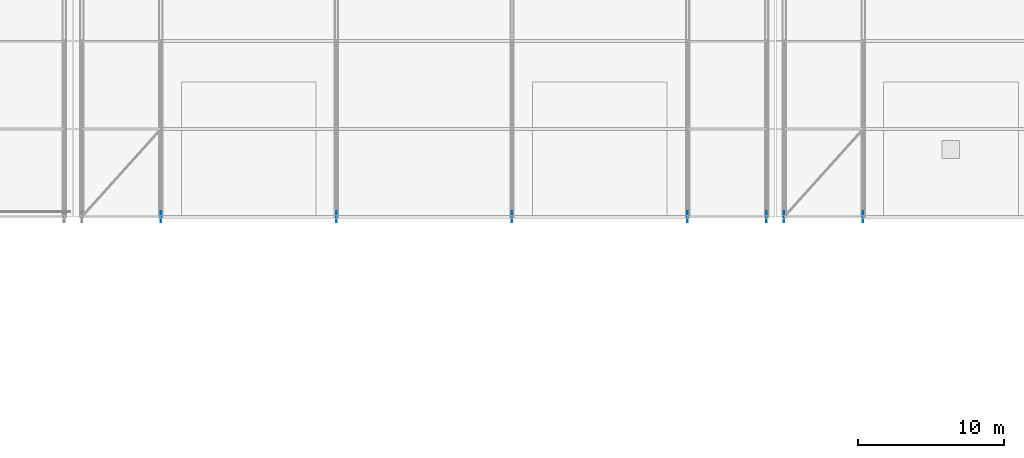
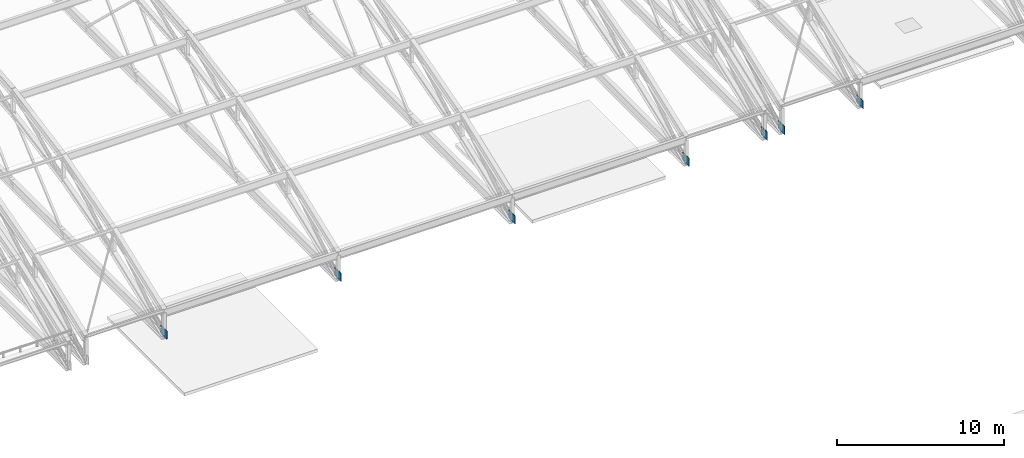
# One storey, part 186 of 204: 7 plates.
"""IFC4 building model written with IfcOpenShell, lengths in metres."""

import ifcopenshell
import ifcopenshell.guid

model = None  # the IFC model being written
_history = None  # IfcOwnerHistory: only IFC2X3 demands one
_inside = {}  # id of a spatial element -> (the spatial element, [elements in it])
_under = {}  # id of a project, library or spatial element -> (it, [spatial elements below it])
_declared = {}  # id of a project -> (the project, [libraries it declares])
_typed = {}  # id of a type object -> (the type object, [elements of that type])
_made_of = {}  # id of a material, layer set ... -> (it, [elements and type objects made of it])


def new_model(schema):
    """Start an empty IFC model of exactly this schema.

    Asked for "IFC4X3", IfcOpenShell would pick the latest addendum, in which some entities
    have other attributes; the version numbers below select the first issue.
    IFC2X3 requires an IfcOwnerHistory on every rooted entity: one is made here for all.
    """
    global model, _history
    if schema == "IFC4X3":
        model = ifcopenshell.file(schema_version=(4, 3, 0, 0))
    else:
        model = ifcopenshell.file(schema=schema)
    _inside.clear()
    _under.clear()
    _declared.clear()
    _typed.clear()
    _made_of.clear()
    _history = None
    if model.schema == "IFC2X3":
        org = make("IfcOrganization", Name="unknown")
        user = make(
            "IfcPersonAndOrganization",
            ThePerson=make("IfcPerson", FamilyName="unknown"),
            TheOrganization=org,
        )
        app = make(
            "IfcApplication",
            ApplicationDeveloper=org,
            Version="unknown",
            ApplicationFullName="unknown",
            ApplicationIdentifier="unknown",
        )
        _history = make(
            "IfcOwnerHistory",
            OwningUser=user,
            OwningApplication=app,
            ChangeAction="ADDED",
            CreationDate=0,
        )
    return model


def make(cls, **values):
    """One entity of the class cls with the attributes given. An attribute that is None is left unset."""
    return model.create_entity(
        cls, **{name: value for name, value in values.items() if value is not None}
    )


def rooted(cls, **values):
    """An entity with a GlobalId (a new one), such as an element, a storey or a relation."""
    return make(cls, GlobalId=ifcopenshell.guid.new(), OwnerHistory=_history, **values)


def si_unit(unit_type, name, prefix=None):
    """IfcSIUnit, for example si_unit("LENGTHUNIT", "METRE", prefix="MILLI")."""
    return make("IfcSIUnit", UnitType=unit_type, Prefix=prefix, Name=name)


def assignment(units):
    """IfcUnitAssignment: the units of a project."""
    return None if units is None else make("IfcUnitAssignment", Units=units)


def point(xyz):
    """IfcCartesianPoint."""
    return None if xyz is None else make("IfcCartesianPoint", Coordinates=xyz)


def direction(xyz):
    """IfcDirection."""
    return None if xyz is None else make("IfcDirection", DirectionRatios=xyz)


def frame(location, z_axis=None, x_axis=None):
    """IfcAxis2Placement3D, a coordinate frame: its origin and axes. An axis left out is left unset."""
    return make(
        "IfcAxis2Placement3D",
        Location=point(location),
        Axis=direction(z_axis),
        RefDirection=direction(x_axis),
    )


def frame_2d(location, x_axis=None):
    """IfcAxis2Placement2D, a coordinate frame in the plane: its origin and x axis."""
    return make(
        "IfcAxis2Placement2D", Location=point(location), RefDirection=direction(x_axis)
    )


def origin():
    """The frame at (0, 0, 0) with its axes left unset."""
    return frame((0.0, 0.0, 0.0))


def origin_2d():
    """The frame at (0, 0) in the plane with its x axis left unset."""
    return frame_2d((0.0, 0.0))


def place(relative_to, where):
    """IfcLocalPlacement: puts the frame where relative to a parent placement (None: the world)."""
    return make(
        "IfcLocalPlacement", PlacementRelTo=relative_to, RelativePlacement=where
    )


def context(
    kind, dimensions, precision=None, world=None, true_north=None, identifier=None
):
    """IfcGeometricRepresentationContext, for example the 3D "Model" context."""
    return make(
        "IfcGeometricRepresentationContext",
        ContextIdentifier=identifier,
        ContextType=kind,
        CoordinateSpaceDimension=dimensions,
        Precision=precision,
        WorldCoordinateSystem=world,
        TrueNorth=true_north,
    )


def subcontext(parent, identifier, kind, view, scale=None):
    """IfcGeometricRepresentationSubContext, for example "Body" below "Model"."""
    return make(
        "IfcGeometricRepresentationSubContext",
        ContextIdentifier=identifier,
        ContextType=kind,
        ParentContext=parent,
        TargetScale=scale,
        TargetView=view,
    )


def project(units=None, contexts=None):
    """IfcProject with its units and contexts."""
    return rooted(
        "IfcProject",
        Name="project",
        RepresentationContexts=contexts,
        UnitsInContext=assignment(units),
    )


def spatial(cls, under=None, at=None, **own):
    """A site, building, storey or space (cls), placed at a placement, below another one or the project."""
    s = rooted(cls, ObjectPlacement=at, **own)
    if under is not None:
        _under.setdefault(under.id(), (under, []))[1].append(s)
    return s


def profile(cls, at=None, kind="AREA", **sizes):
    """A parametric profile (cls). Its sizes go by their IFC names, for example OverallWidth=200.0."""
    return make(cls, ProfileType=kind, Position=at, **sizes)


def rectangle(**sizes):
    """IfcRectangleProfileDef."""
    return profile("IfcRectangleProfileDef", **sizes)


def extrude(swept, where, along, depth):
    """IfcExtrudedAreaSolid: the profile swept, set in the frame where, extruded along a direction by depth."""
    return make(
        "IfcExtrudedAreaSolid",
        SweptArea=swept,
        Position=where,
        ExtrudedDirection=direction(along),
        Depth=depth,
    )


def shape(context_of_items, identifier, shape_type, items):
    """IfcShapeRepresentation: the items that make up one representation, for example the "Body"."""
    return make(
        "IfcShapeRepresentation",
        ContextOfItems=context_of_items,
        RepresentationIdentifier=identifier,
        RepresentationType=shape_type,
        Items=items,
    )


def material(Name=None, Category=None):
    """IfcMaterial."""
    return make("IfcMaterial", Name=Name, Category=Category)


def layer(
    of_material, thickness, ventilated=None, Name=None, Category=None, Priority=None
):
    """IfcMaterialLayer: one layer of a wall or slab, of a material (None: an air gap)."""
    return make(
        "IfcMaterialLayer",
        Material=of_material,
        LayerThickness=thickness,
        IsVentilated=ventilated,
        Name=Name,
        Category=Category,
        Priority=Priority,
    )


def layer_set(layers, Name=None):
    """IfcMaterialLayerSet."""
    return make("IfcMaterialLayerSet", MaterialLayers=layers, LayerSetName=Name)


def made_of(thing, what):
    """Note that an element or type object is made of a material, layer set ...; save() writes the relation."""
    if what is not None:
        _made_of.setdefault(what.id(), (what, []))[1].append(thing)
    return thing


def type_object(cls, material=None, **own):
    """A type object (cls), such as IfcWallType, which elements share."""
    return made_of(rooted(cls, **own), material)


def element(
    cls,
    number,
    at=None,
    inside=None,
    cuts=None,
    type_object=None,
    material=None,
    context=None,
    identifier="Body",
    shape_type=None,
    held_by="IfcProductDefinitionShape",
    body=None,
    shapes=None,
    **own,
):
    """One element of the class cls, such as IfcWall. Its Tag is "e" and its number.

    at: its placement. inside: the storey or other place that contains it. cuts: it is an
    opening in that element (IfcRelVoidsElement). A single representation is given by context,
    identifier, shape_type and body (its items); several are given by shapes. held_by: the class
    of the entity that holds the representations. save() writes the other relations.
    """
    e = rooted(cls, Tag="e%d" % number, ObjectPlacement=at, **own)
    if body is not None:
        shapes = [shape(context, identifier, shape_type, body)]
    if shapes is not None:
        e.Representation = make(held_by, Representations=shapes)
    if inside is not None:
        _inside.setdefault(inside.id(), (inside, []))[1].append(e)
    if cuts is not None:
        rooted(
            "IfcRelVoidsElement", RelatingBuildingElement=cuts, RelatedOpeningElement=e
        )
    if type_object is not None:
        _typed.setdefault(type_object.id(), (type_object, []))[1].append(e)
    return made_of(e, material)


def aggregate(whole, parts):
    """IfcRelAggregates: a whole, such as a stair, and the parts it consists of."""
    return rooted("IfcRelAggregates", RelatingObject=whole, RelatedObjects=parts)


def save(model, path):
    """Write the relations noted so far, then the file.

    IfcRelAggregates (storeys below a building ...), IfcRelContainedInSpatialStructure (elements
    in a storey), IfcRelDefinesByType, IfcRelAssociatesMaterial and IfcRelDeclares: one each for
    every whole, place, type object, material and project.
    """
    for whole, parts in _under.values():
        aggregate(whole, parts)
    for where, things in _inside.values():
        rooted(
            "IfcRelContainedInSpatialStructure",
            RelatedElements=things,
            RelatingStructure=where,
        )
    for kind, things in _typed.values():
        rooted("IfcRelDefinesByType", RelatedObjects=things, RelatingType=kind)
    for what, things in _made_of.values():
        rooted("IfcRelAssociatesMaterial", RelatedObjects=things, RelatingMaterial=what)
    for by, libraries in _declared.values():
        rooted("IfcRelDeclares", RelatingContext=by, RelatedDefinitions=libraries)
    model.write(path)


model = new_model("IFC4")

# Units and contexts
model_context = context("Model", 3, precision=1e-05, world=origin(), true_north=direction((0.0, 1.0)))
body_context = subcontext(model_context, "Body", "Model", "MODEL_VIEW")
ifc_project = project(units=[si_unit("LENGTHUNIT", "METRE"), si_unit("AREAUNIT", "SQUARE_METRE"), si_unit("VOLUMEUNIT", "CUBIC_METRE"), si_unit("PLANEANGLEUNIT", "RADIAN"), si_unit("MASSUNIT", "GRAM", prefix="KILO")], contexts=[model_context])

# Site, building, storey
site_placement = place(None, origin())
site = spatial("IfcSite", under=ifc_project, at=site_placement, CompositionType="ELEMENT")
building_placement = place(site_placement, origin())
building = spatial("IfcBuilding", under=site, at=building_placement, Name="Zilviju Railside Exhibition Hall", CompositionType="ELEMENT")
storey_placement = place(building_placement, frame((0.0, 0.0, 21.0)))
storey = spatial("IfcBuildingStorey", under=building, at=storey_placement, Name="RF", CompositionType="ELEMENT", Elevation=21.0)

# Plates
ifc_material = material(Name="Steel S355ML", Category="steel")
ifc_layer = layer(ifc_material, 0.034912109375)
ifc_layer_set = layer_set([ifc_layer], Name="Steel S355ML")
plate_type = type_object("IfcPlateType", Name="PLATE-GP-35", PredefinedType="SHEET", material=ifc_layer_set)
for number, where, z_axis, x_axis, name in (
    (1, (132.0, 84.0, -3.75), (0.0, 0.0, 1.0), (1.0, 0.0, 0.0), "V2 Arch Pin-Shoe Gusset Plate X=132.0"),
    (2, (144.0, 84.0, -3.75), (0.0, 0.0, 1.0), (1.0, 0.0, 0.0), "V2 Arch Pin-Shoe Gusset Plate X=144.0"),
    (3, (156.0, 84.0, -3.75), (0.0, 0.0, 1.0), (1.0, 0.0, 0.0), "V2 Arch Pin-Shoe Gusset Plate X=156.0"),
    (4, (168.0, 84.0, -3.75), (0.0, 0.0, 1.0), (1.0, 0.0, 0.0), "V2 Arch Pin-Shoe Gusset Plate X=168.0"),
    (5, (173.39990234375, 84.0, -3.75), (0.0, 0.0, 1.0), (1.0, 0.0, 0.0), "V2 Arch Pin-Shoe Gusset Plate X=173.4"),
    (6, (174.60009765625, 84.0, -3.75), (0.0, 0.0, 1.0), (1.0, 0.0, 0.0), "V2 Arch Pin-Shoe Gusset Plate X=174.6"),
    (7, (180.0, 84.0, -3.75), (0.0, 0.0, 1.0), (1.0, 0.0, 0.0), "V2 Arch Pin-Shoe Gusset Plate X=180.0"),
):
    element("IfcPlate", number, at=place(storey_placement, frame(where, z_axis=z_axis, x_axis=x_axis)), inside=storey, type_object=plate_type, Name=name, PredefinedType="SHEET", context=body_context, shape_type="SweptSolid", body=[
        extrude(rectangle(XDim=0.034912109375, YDim=0.75, at=origin_2d()), origin(), (0.0, 0.0, 1.0), 0.60009765625),
    ])

save(model, "model.ifc")
